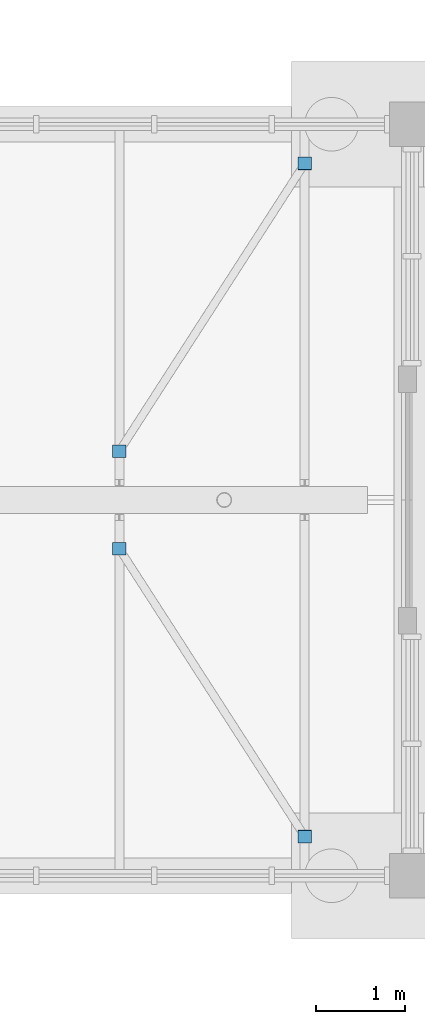
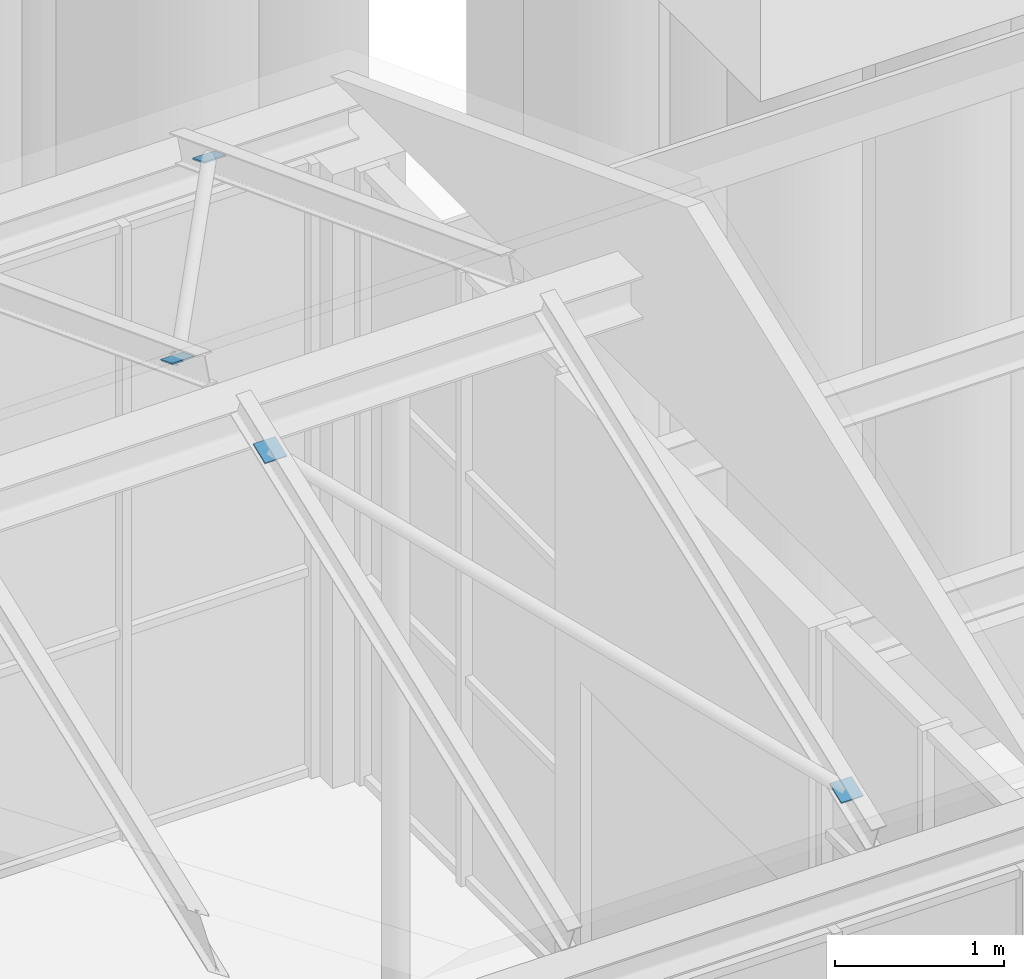
# One storey, part 130 of 138: 4 discrete accessories.
"""IFC4 building model written with IfcOpenShell, lengths in metres."""

from ifc_helpers import new_model, si_unit, direction, frame, origin, origin_2d, place, context, subcontext, project, spatial, rectangle, extrude, material, material_profile, profile_set, type_object, element, save


model = new_model("IFC4")

# Units and contexts
model_context = context("Model", 3, precision=1e-05, world=origin(), true_north=direction((0.0, 1.0)))
body_context = subcontext(model_context, "Body", "Model", "MODEL_VIEW")
ifc_project = project(units=[si_unit("LENGTHUNIT", "METRE"), si_unit("AREAUNIT", "SQUARE_METRE"), si_unit("VOLUMEUNIT", "CUBIC_METRE"), si_unit("PLANEANGLEUNIT", "RADIAN"), si_unit("MASSUNIT", "GRAM", prefix="KILO")], contexts=[model_context])

# Site, building, storey
site_placement = place(None, origin())
site = spatial("IfcSite", under=ifc_project, at=site_placement, CompositionType="ELEMENT")
building_placement = place(site_placement, origin())
building = spatial("IfcBuilding", under=site, at=building_placement, Name="Yavir Park General Hospital", CompositionType="ELEMENT")
storey_placement = place(building_placement, origin())
storey = spatial("IfcBuildingStorey", under=building, at=storey_placement, Name="L00", CompositionType="ELEMENT", Elevation=0.0)

# Discrete accessories
ifc_material = material(Name="Steel S355", Category="steel")
ifc_material_profile = material_profile(ifc_material, rectangle(XDim=0.14990234375, YDim=0.14990234375, at=origin_2d()), Name="PL150x150")
ifc_profile_set = profile_set([ifc_material_profile], Name="Steel S355")
discrete_accessory_type = type_object("IfcDiscreteAccessoryType", Name="Brace gusset plate 150 x 150 x 10", PredefinedType="BRACKET", material=ifc_profile_set)
for number, where, z_axis, x_axis, name in (
    (1, (133.199951171875, 50.8408203125, 4.9951171875), (0.0, -0.367166534736, 0.930155221331), (1.0, 0.0, 0.0), "Conc roof brace 2 gusset plate 1"),
    (2, (131.127197265625, 54.05615234375, 6.219970703125), (0.0, -0.367166534736, 0.930155221331), (1.0, 0.0, 0.0), "Conc roof brace 2 gusset plate 2"),
    (3, (133.199951171875, 58.359130859375, 4.9951171875), (0.0, 0.367166534736, 0.930155221331), (-1.0, 0.0, 0.0), "Conc roof brace 4 gusset plate 1"),
    (4, (131.127197265625, 55.143798828125, 6.219970703125), (0.0, 0.367166534736, 0.930155221331), (-1.0, 0.0, 0.0), "Conc roof brace 4 gusset plate 2"),
):
    element("IfcDiscreteAccessory", number, at=place(storey_placement, frame(where, z_axis=z_axis, x_axis=x_axis)), inside=storey, type_object=discrete_accessory_type, Name=name, PredefinedType="BRACKET", context=body_context, shape_type="SweptSolid", body=[
        extrude(rectangle(XDim=0.14990234375, YDim=0.14990234375, at=origin_2d()), origin(), (0.0, 0.0, 1.0), 0.010009765625),
    ])

save(model, "model.ifc")
